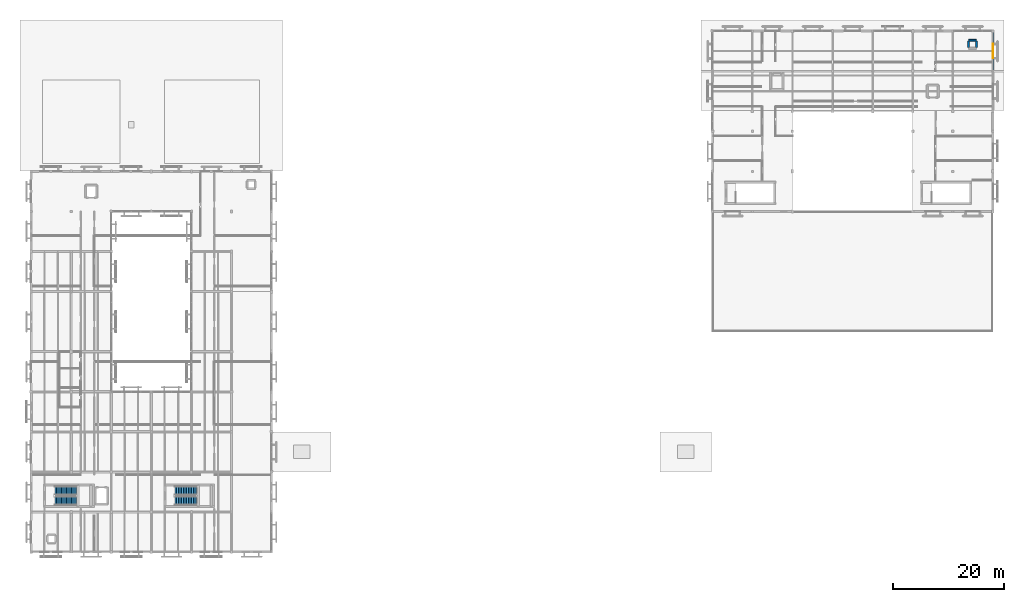
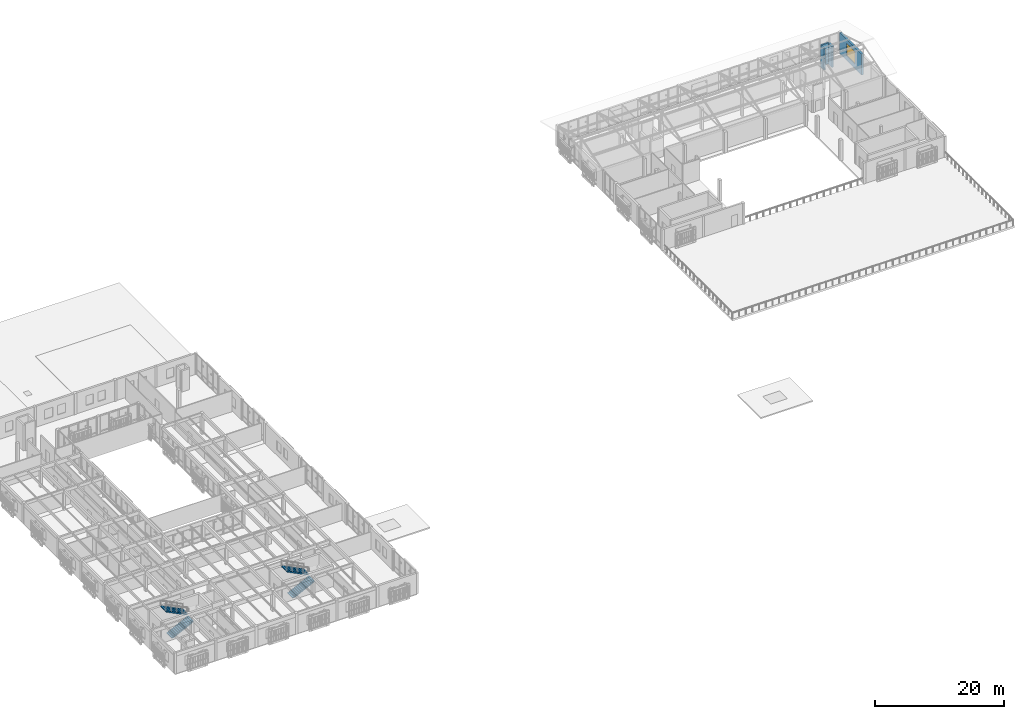
# One storey, part 53 of 61: 4 stair flights, 4 walls, 1 window, 1 opening, 2 elements without a shape of their own.
"""IFC4 building model written with IfcOpenShell, lengths in metres."""

from ifc_helpers import new_model, si_unit, direction, frame, frame_2d, origin, place, context, subcontext, project, spatial, polyline, rectangle, outline, extrude, material, layer, layer_set, type_object, element, fill, aggregate, save


model = new_model("IFC4")

# Units and contexts
model_context = context("Model", 3, precision=1e-05, world=origin(), true_north=direction((0.0, 1.0)))
body_context = subcontext(model_context, "Body", "Model", "MODEL_VIEW")
ifc_project = project(units=[si_unit("LENGTHUNIT", "METRE"), si_unit("AREAUNIT", "SQUARE_METRE"), si_unit("VOLUMEUNIT", "CUBIC_METRE"), si_unit("PLANEANGLEUNIT", "RADIAN"), si_unit("MASSUNIT", "GRAM", prefix="KILO")], contexts=[model_context])

# Site, building, storey
site_placement = place(None, origin())
site = spatial("IfcSite", under=ifc_project, at=site_placement, CompositionType="ELEMENT")
building_placement = place(site_placement, origin())
building = spatial("IfcBuilding", under=site, at=building_placement, Name="Mazaris Harbour Polytechnic", CompositionType="ELEMENT")
storey_placement = place(building_placement, frame((0.0, 0.0, 18.0)))
storey = spatial("IfcBuildingStorey", under=building, at=storey_placement, Name="L04", CompositionType="ELEMENT", Elevation=18.0)

# Wall, opening, window
ifc_material_1 = material(Name="Algerian Buff Limestone and Mineral Wool", Category="masonry")
ifc_layer_1 = layer(ifc_material_1, 0.330078125, Name="Algerian Buff Limestone and Mineral Wool")
ifc_layer_set_1 = layer_set([ifc_layer_1], Name="Algerian Buff Limestone and Mineral Wool")
wall_type_1 = type_object("IfcWallType", Name="Limestone Cavity Wall 330", PredefinedType="STANDARD", material=ifc_layer_set_1)
wall_1_placement = place(storey_placement, frame((172.800048828125, 100.577880859375, 0.0), z_axis=(0.0, 0.0, 1.0), x_axis=(0.0, -1.0, 0.0)))
wall_1 = element("IfcWall", 1, at=wall_1_placement, inside=storey, type_object=wall_type_1, Name="V5 L04 Exterior Wall 389", PredefinedType="STANDARD", context=body_context, shape_type="SweptSolid", body=[
    extrude(rectangle(XDim=6.77587890625, YDim=0.330078125, at=frame_2d((3.387939453125, 0.0))), origin(), (0.0, 0.0, 1.0), 3.9599609375),
])
opening_placement = place(wall_1_placement, frame((2.087890625, 0.0, 0.85009765625)))
opening = element("IfcOpeningElement", 2, at=opening_placement, cuts=wall_1, Name="Opening WN-08", PredefinedType="OPENING", context=body_context, shape_type="SweptSolid", body=[
    extrude(rectangle(XDim=2.60009765625, YDim=2.39990234375, at=frame_2d((1.300048828125, 1.199951171875))), frame((0.0, 0.175048828125, 0.0), z_axis=(0.0, -1.0, 0.0), x_axis=(1.0, 0.0, 0.0)), (0.0, 0.0, 1.0), 0.35009765625),
])
ifc_material_2 = material(Name="Thermally Broken Bronze Aluminium and Low-E Glass", Category="aluminium")
window_type = type_object("IfcWindowType", Name="Studio North Window 2600x2400", PartitioningType="DOUBLE_PANEL_VERTICAL", PredefinedType="WINDOW", material=ifc_material_2)
window_placement = place(opening_placement, origin())
window = element("IfcWindow", 3, at=window_placement, inside=storey, type_object=window_type, Name="WN-0450", OverallHeight=2.39990234375, OverallWidth=2.60009765625, PartitioningType="DOUBLE_PANEL_VERTICAL", PredefinedType="WINDOW", context=body_context, shape_type="SweptSolid", body=[
    extrude(rectangle(XDim=2.60009765625, YDim=2.39990234375, at=frame_2d((1.300048828125, 1.199951171875))), frame((0.0, 0.030029296875, 0.0), z_axis=(0.0, -1.0, 0.0), x_axis=(1.0, 0.0, 0.0)), (0.0, 0.0, 1.0), 0.06005859375),
])
fill(opening, window)

# Walls
ifc_material_3 = material(Name="Concrete C40/50", Category="concrete")
ifc_layer_2 = layer(ifc_material_3, 0.300048828125, Name="Concrete C40/50")
ifc_layer_set_2 = layer_set([ifc_layer_2], Name="Concrete C40/50")
wall_type_2 = type_object("IfcWallType", Name="RC Lift Shaft Wall 300", PredefinedType="SHEAR", material=ifc_layer_set_2)
wall_2_placement = place(storey_placement, frame((169.85009765625, 97.889892578125, 0.0), z_axis=(0.0, 0.0, 1.0), x_axis=(0.0, 1.0, 0.0)))
element("IfcWall", 4, at=wall_2_placement, inside=storey, type_object=wall_type_2, Name="V5 L04 Riser Enclosure Wall 1-2", PredefinedType="SHEAR", context=body_context, shape_type="SweptSolid", body=[
    extrude(rectangle(XDim=1.10009765625, YDim=0.300048828125, at=frame_2d((0.550048828125, 0.0))), origin(), (0.0, 0.0, 1.0), 3.9599609375),
])
wall_3_placement = place(storey_placement, frame((169.85009765625, 99.14990234375, 0.0), z_axis=(0.0, 0.0, 1.0), x_axis=(-1.0, 0.0, 0.0)))
element("IfcWall", 5, at=wall_3_placement, inside=storey, type_object=wall_type_2, Name="V5 L04 Riser Enclosure Wall 1-3", PredefinedType="SHEAR", context=body_context, shape_type="SweptSolid", body=[
    extrude(rectangle(XDim=1.420166015625, YDim=0.300048828125, at=frame_2d((0.7099609375, 0.0))), origin(), (0.0, 0.0, 1.0), 3.9599609375),
])
wall_4_placement = place(storey_placement, frame((168.429931640625, 98.989990234375, 0.0), z_axis=(0.0, 0.0, 1.0), x_axis=(0.0, -1.0, 0.0)))
element("IfcWall", 6, at=wall_4_placement, inside=storey, type_object=wall_type_2, Name="V5 L04 Riser Enclosure Wall 1-4", PredefinedType="SHEAR", context=body_context, shape_type="SweptSolid", body=[
    extrude(rectangle(XDim=1.10009765625, YDim=0.300048828125, at=frame_2d((0.550048828125, 0.0))), origin(), (0.0, 0.0, 1.0), 3.9599609375),
])

# Stair, stair flights
ifc_material_4 = material(Name="Concrete C40/50", Category="concrete")
stair_type = type_object("IfcStairType", Name="Core Exit Stair H4200", PredefinedType="HALF_TURN_STAIR", material=ifc_material_4)
stair_1_placement = place(storey_placement, origin())
stair_1 = element("IfcStair", 7, at=stair_1_placement, inside=storey, type_object=stair_type, Name="L04 ST07", PredefinedType="HALF_TURN_STAIR")
ifc_material_5 = material(Name="Concrete C40/50", Category="concrete")
stair_flight_type = type_object("IfcStairFlightType", Name="RC Stair Flight W1650", PredefinedType="STRAIGHT", material=ifc_material_5)
stair_flight_1_placement = place(storey_placement, frame((4.25, 16.425048828125, 0.0), z_axis=(0.0, 0.0, 1.0), x_axis=(1.0, 0.0, 0.0)))
stair_flight_1 = element("IfcStairFlight", 8, at=stair_flight_1_placement, type_object=stair_flight_type, Name="ST07 flight 1", NumberOfRisers=14, NumberOfTreads=13, PredefinedType="STRAIGHT", RiserHeight=0.15, TreadLength=0.3, context=body_context, shape_type="SweptSolid", body=[
    extrude(outline(polyline([(0.0, 0.0), (0.0, 0.14990234375), (0.300048828125, 0.14990234375), (0.300048828125, 0.300048828125), (0.60009765625, 0.300048828125), (0.60009765625, 0.449951171875), (0.89990234375, 0.449951171875), (0.89990234375, 0.60009765625), (1.199951171875, 0.60009765625), (1.199951171875, 0.75), (1.5, 0.75), (1.5, 0.89990234375), (1.800048828125, 0.89990234375), (1.800048828125, 1.050048828125), (2.10009765625, 1.050048828125), (2.10009765625, 1.199951171875), (2.39990234375, 1.199951171875), (2.39990234375, 1.35009765625), (2.699951171875, 1.35009765625), (2.699951171875, 1.5), (3.0, 1.5), (3.0, 1.64990234375), (3.300048828125, 1.64990234375), (3.300048828125, 1.800048828125), (3.60009765625, 1.800048828125), (3.60009765625, 1.949951171875), (3.89990234375, 1.949951171875), (3.89990234375, 2.10009765625), (3.89990234375, 1.748779296875), (0.40234375, 0.0), (0.0, 0.0)])), frame((0.0, 0.824951171875, 0.0), z_axis=(0.0, -1.0, 0.0), x_axis=(1.0, 0.0, 0.0)), (0.0, 0.0, 1.0), 1.64990234375),
])
stair_flight_2_placement = place(storey_placement, frame((8.14990234375, 18.22509765625, 2.10009765625), z_axis=(0.0, 0.0, 1.0), x_axis=(-1.0, 0.0, 0.0)))
stair_flight_2 = element("IfcStairFlight", 9, at=stair_flight_2_placement, type_object=stair_flight_type, Name="ST07 flight 2", NumberOfRisers=14, NumberOfTreads=13, PredefinedType="STRAIGHT", RiserHeight=0.15, TreadLength=0.3, context=body_context, shape_type="SweptSolid", body=[
    extrude(outline(polyline([(0.0, 0.0), (0.0, 0.14990234375), (0.300048828125, 0.14990234375), (0.300048828125, 0.300048828125), (0.60009765625, 0.300048828125), (0.60009765625, 0.449951171875), (0.89990234375, 0.449951171875), (0.89990234375, 0.60009765625), (1.199951171875, 0.60009765625), (1.199951171875, 0.75), (1.5, 0.75), (1.5, 0.89990234375), (1.800048828125, 0.89990234375), (1.800048828125, 1.050048828125), (2.10009765625, 1.050048828125), (2.10009765625, 1.199951171875), (2.39990234375, 1.199951171875), (2.39990234375, 1.35009765625), (2.699951171875, 1.35009765625), (2.699951171875, 1.5), (3.0, 1.5), (3.0, 1.64990234375), (3.300048828125, 1.64990234375), (3.300048828125, 1.800048828125), (3.60009765625, 1.800048828125), (3.60009765625, 1.949951171875), (3.89990234375, 1.949951171875), (3.89990234375, 2.10009765625), (3.89990234375, 1.748779296875), (0.40234375, 0.0), (0.0, 0.0)])), frame((0.0, 0.824951171875, 0.0), z_axis=(0.0, -1.0, 0.0), x_axis=(1.0, 0.0, 0.0)), (0.0, 0.0, 1.0), 1.64990234375),
])
aggregate(stair_1, [stair_flight_1, stair_flight_2])

stair_2_placement = place(storey_placement, origin())
stair_2 = element("IfcStair", 10, at=stair_2_placement, inside=storey, type_object=stair_type, Name="L04 ST08", PredefinedType="HALF_TURN_STAIR")
stair_flight_3_placement = place(storey_placement, frame((25.85009765625, 16.425048828125, 0.0), z_axis=(0.0, 0.0, 1.0), x_axis=(1.0, 0.0, 0.0)))
stair_flight_3 = element("IfcStairFlight", 11, at=stair_flight_3_placement, type_object=stair_flight_type, Name="ST08 flight 1", NumberOfRisers=14, NumberOfTreads=13, PredefinedType="STRAIGHT", RiserHeight=0.15, TreadLength=0.3, context=body_context, shape_type="SweptSolid", body=[
    extrude(outline(polyline([(0.0, 0.0), (0.0, 0.14990234375), (0.300048828125, 0.14990234375), (0.300048828125, 0.300048828125), (0.60009765625, 0.300048828125), (0.60009765625, 0.449951171875), (0.89990234375, 0.449951171875), (0.89990234375, 0.60009765625), (1.199951171875, 0.60009765625), (1.199951171875, 0.75), (1.5, 0.75), (1.5, 0.89990234375), (1.800048828125, 0.89990234375), (1.800048828125, 1.050048828125), (2.10009765625, 1.050048828125), (2.10009765625, 1.199951171875), (2.39990234375, 1.199951171875), (2.39990234375, 1.35009765625), (2.699951171875, 1.35009765625), (2.699951171875, 1.5), (3.0, 1.5), (3.0, 1.64990234375), (3.300048828125, 1.64990234375), (3.300048828125, 1.800048828125), (3.60009765625, 1.800048828125), (3.60009765625, 1.949951171875), (3.89990234375, 1.949951171875), (3.89990234375, 2.10009765625), (3.89990234375, 1.748779296875), (0.40234375, 0.0), (0.0, 0.0)])), frame((0.0, 0.824951171875, 0.0), z_axis=(0.0, -1.0, 0.0), x_axis=(1.0, 0.0, 0.0)), (0.0, 0.0, 1.0), 1.64990234375),
])
stair_flight_4_placement = place(storey_placement, frame((29.75, 18.22509765625, 2.10009765625), z_axis=(0.0, 0.0, 1.0), x_axis=(-1.0, 0.0, 0.0)))
stair_flight_4 = element("IfcStairFlight", 12, at=stair_flight_4_placement, type_object=stair_flight_type, Name="ST08 flight 2", NumberOfRisers=14, NumberOfTreads=13, PredefinedType="STRAIGHT", RiserHeight=0.15, TreadLength=0.3, context=body_context, shape_type="SweptSolid", body=[
    extrude(outline(polyline([(0.0, 0.0), (0.0, 0.14990234375), (0.300048828125, 0.14990234375), (0.300048828125, 0.300048828125), (0.60009765625, 0.300048828125), (0.60009765625, 0.449951171875), (0.89990234375, 0.449951171875), (0.89990234375, 0.60009765625), (1.199951171875, 0.60009765625), (1.199951171875, 0.75), (1.5, 0.75), (1.5, 0.89990234375), (1.800048828125, 0.89990234375), (1.800048828125, 1.050048828125), (2.10009765625, 1.050048828125), (2.10009765625, 1.199951171875), (2.39990234375, 1.199951171875), (2.39990234375, 1.35009765625), (2.699951171875, 1.35009765625), (2.699951171875, 1.5), (3.0, 1.5), (3.0, 1.64990234375), (3.300048828125, 1.64990234375), (3.300048828125, 1.800048828125), (3.60009765625, 1.800048828125), (3.60009765625, 1.949951171875), (3.89990234375, 1.949951171875), (3.89990234375, 2.10009765625), (3.89990234375, 1.748779296875), (0.40234375, 0.0), (0.0, 0.0)])), frame((0.0, 0.824951171875, 0.0), z_axis=(0.0, -1.0, 0.0), x_axis=(1.0, 0.0, 0.0)), (0.0, 0.0, 1.0), 1.64990234375),
])
aggregate(stair_2, [stair_flight_3, stair_flight_4])

save(model, "model.ifc")
